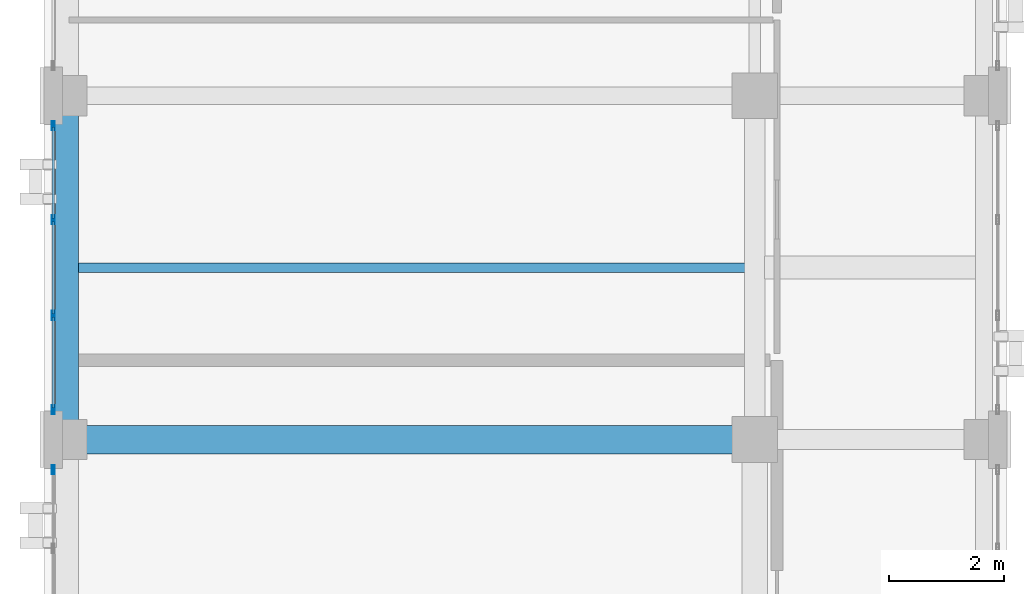
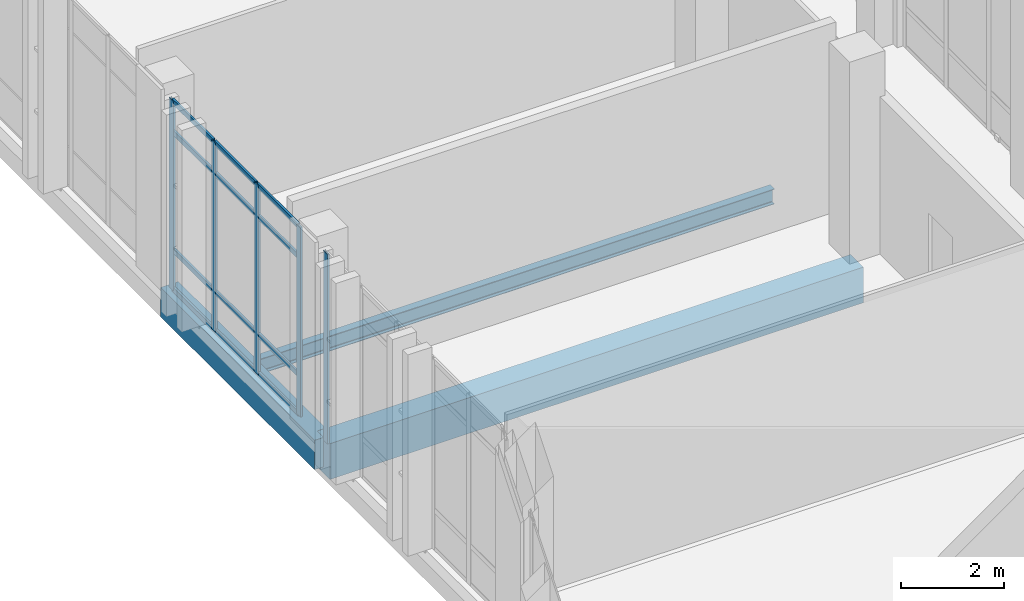
# One storey, part 69 of 189: 17 members, 3 beams, 2 elements without a shape of their own.
"""IFC4 building model written with IfcOpenShell, lengths in metres."""

from ifc_helpers import new_model, si_unit, direction, frame, origin, origin_2d, place, context, subcontext, project, spatial, rectangle, hollow_rectangle, i_section, extrude, material, layer, layer_set, material_profile, profile_set, type_object, element, aggregate, save


model = new_model("IFC4")

# Units and contexts
model_context = context("Model", 3, precision=1e-05, world=origin(), true_north=direction((0.0, 1.0)))
body_context = subcontext(model_context, "Body", "Model", "MODEL_VIEW")
ifc_project = project(units=[si_unit("LENGTHUNIT", "METRE"), si_unit("AREAUNIT", "SQUARE_METRE"), si_unit("VOLUMEUNIT", "CUBIC_METRE"), si_unit("PLANEANGLEUNIT", "RADIAN"), si_unit("MASSUNIT", "GRAM", prefix="KILO")], contexts=[model_context])

# Site, building, storey
site_placement = place(None, origin())
site = spatial("IfcSite", under=ifc_project, at=site_placement, CompositionType="ELEMENT")
building_placement = place(site_placement, origin())
building = spatial("IfcBuilding", under=site, at=building_placement, Name="Qalavern Law Courts", CompositionType="ELEMENT")
storey_placement = place(building_placement, frame((0.0, 0.0, 5.39990234375)))
storey = spatial("IfcBuildingStorey", under=building, at=storey_placement, Name="L01", CompositionType="ELEMENT", Elevation=5.39990234375)

# Curtain wall, members
ifc_material_1 = material(Name="Anodised aluminium and insulated glazing", Category="aluminium")
ifc_layer = layer(ifc_material_1, 0.172119140625)
ifc_layer_set = layer_set([ifc_layer], Name="Anodised aluminium and insulated glazing")
curtain_wall_type = type_object("IfcCurtainWallType", Name="ENV-CW-COURT", PredefinedType="USERDEFINED", material=ifc_layer_set)
curtain_wall_1_placement = place(storey_placement, origin())
curtain_wall_1 = element("IfcCurtainWall", 1, at=curtain_wall_1_placement, inside=storey, type_object=curtain_wall_type, Name="V3 unitised curtain wall L01 west 3", ObjectType="UNITISED CURTAIN WALL", PredefinedType="USERDEFINED")
ifc_material_2 = material(Name="Anodised aluminium", Category="aluminium")
ifc_material_profile_1 = material_profile(ifc_material_2, hollow_rectangle(XDim=0.048095703125, YDim=0.159912109375, WallThickness=0.00390625, at=origin_2d()), Name="ALU MULLION 48x160")
ifc_profile_set_1 = profile_set([ifc_material_profile_1], Name="Anodised aluminium")
member_type_1 = type_object("IfcMemberType", Name="ENV-CWM-48x160", PredefinedType="MULLION", material=ifc_profile_set_1)
member_1_placement = place(storey_placement, frame((2.16259765625, 78.8759765625, 0.0), z_axis=(0.0, 0.0, 1.0), x_axis=(1.0, 0.0, 0.0)))
member_1 = element("IfcMember", 2, at=member_1_placement, type_object=member_type_1, Name="CW-03 mullion 1", PredefinedType="MULLION", context=body_context, shape_type="SweptSolid", body=[
    extrude(hollow_rectangle(XDim=0.048095703125, YDim=0.159912109375, WallThickness=0.00390625, at=origin_2d()), origin(), (0.0, 0.0, 1.0), 4.510009765625),
])
member_2_placement = place(storey_placement, frame((2.16259765625, 77.2333984375, 0.0), z_axis=(0.0, 0.0, 1.0), x_axis=(1.0, 0.0, 0.0)))
member_2 = element("IfcMember", 3, at=member_2_placement, type_object=member_type_1, Name="CW-03 mullion 2", PredefinedType="MULLION", context=body_context, shape_type="SweptSolid", body=[
    extrude(hollow_rectangle(XDim=0.048095703125, YDim=0.159912109375, WallThickness=0.00390625, at=origin_2d()), origin(), (0.0, 0.0, 1.0), 4.510009765625),
])
member_3_placement = place(storey_placement, frame((2.16259765625, 75.566650390625, 0.0), z_axis=(0.0, 0.0, 1.0), x_axis=(1.0, 0.0, 0.0)))
member_3 = element("IfcMember", 4, at=member_3_placement, type_object=member_type_1, Name="CW-03 mullion 3", PredefinedType="MULLION", context=body_context, shape_type="SweptSolid", body=[
    extrude(hollow_rectangle(XDim=0.048095703125, YDim=0.159912109375, WallThickness=0.00390625, at=origin_2d()), origin(), (0.0, 0.0, 1.0), 4.510009765625),
])
member_4_placement = place(storey_placement, frame((2.16259765625, 73.924072265625, 0.0), z_axis=(0.0, 0.0, 1.0), x_axis=(1.0, 0.0, 0.0)))
member_4 = element("IfcMember", 5, at=member_4_placement, type_object=member_type_1, Name="CW-03 mullion 4", PredefinedType="MULLION", context=body_context, shape_type="SweptSolid", body=[
    extrude(hollow_rectangle(XDim=0.048095703125, YDim=0.159912109375, WallThickness=0.00390625, at=origin_2d()), origin(), (0.0, 0.0, 1.0), 4.510009765625),
])

# Curtain wall, member
curtain_wall_2_placement = place(storey_placement, origin())
curtain_wall_2 = element("IfcCurtainWall", 6, at=curtain_wall_2_placement, inside=storey, type_object=curtain_wall_type, Name="V3 unitised curtain wall L01 west 4", ObjectType="UNITISED CURTAIN WALL", PredefinedType="USERDEFINED")
member_5_placement = place(storey_placement, frame((2.16259765625, 72.8759765625, 0.0), z_axis=(0.0, 0.0, 1.0), x_axis=(1.0, 0.0, 0.0)))
member_5 = element("IfcMember", 7, at=member_5_placement, type_object=member_type_1, Name="CW-03 mullion 1", PredefinedType="MULLION", context=body_context, shape_type="SweptSolid", body=[
    extrude(hollow_rectangle(XDim=0.048095703125, YDim=0.159912109375, WallThickness=0.00390625, at=origin_2d()), origin(), (0.0, 0.0, 1.0), 4.510009765625),
])
aggregate(curtain_wall_2, [member_5])

# Member
ifc_material_profile_2 = material_profile(ifc_material_2, hollow_rectangle(XDim=0.048095703125, YDim=0.1201171875, WallThickness=0.00390625, at=origin_2d()), Name="ALU TRANSOM 48x120")
ifc_profile_set_2 = profile_set([ifc_material_profile_2], Name="Anodised aluminium")
member_type_2 = type_object("IfcMemberType", Name="ENV-CWT-48x120", PredefinedType="USERDEFINED", material=ifc_profile_set_2)
member_6_placement = place(storey_placement, frame((2.16259765625, 78.85205078125, 0.024169921875), z_axis=(0.0, -1.0, 0.0), x_axis=(1.0, 0.0, 0.0)))
member_6 = element("IfcMember", 8, at=member_6_placement, type_object=member_type_2, Name="CW-03 transom 1.1", ObjectType="TRANSOM", PredefinedType="USERDEFINED", context=body_context, shape_type="SweptSolid", body=[
    extrude(hollow_rectangle(XDim=0.048095703125, YDim=0.1201171875, WallThickness=0.00390625, at=origin_2d()), origin(), (0.0, 0.0, 1.0), 1.5947265625),
])

member_7_placement = place(storey_placement, frame((2.16259765625, 78.85205078125, 0.9501953125), z_axis=(0.0, -1.0, 0.0), x_axis=(1.0, 0.0, 0.0)))
member_7 = element("IfcMember", 9, at=member_7_placement, type_object=member_type_2, Name="CW-03 transom 1.2", ObjectType="TRANSOM", PredefinedType="USERDEFINED", context=body_context, shape_type="SweptSolid", body=[
    extrude(hollow_rectangle(XDim=0.048095703125, YDim=0.1201171875, WallThickness=0.00390625, at=origin_2d()), origin(), (0.0, 0.0, 1.0), 1.5947265625),
])

member_8_placement = place(storey_placement, frame((2.16259765625, 78.85205078125, 3.760009765625), z_axis=(0.0, -1.0, 0.0), x_axis=(1.0, 0.0, 0.0)))
member_8 = element("IfcMember", 10, at=member_8_placement, type_object=member_type_2, Name="CW-03 transom 1.3", ObjectType="TRANSOM", PredefinedType="USERDEFINED", context=body_context, shape_type="SweptSolid", body=[
    extrude(hollow_rectangle(XDim=0.048095703125, YDim=0.1201171875, WallThickness=0.00390625, at=origin_2d()), origin(), (0.0, 0.0, 1.0), 1.5947265625),
])

member_9_placement = place(storey_placement, frame((2.16259765625, 78.85205078125, 4.486083984375), z_axis=(0.0, -1.0, 0.0), x_axis=(1.0, 0.0, 0.0)))
member_9 = element("IfcMember", 11, at=member_9_placement, type_object=member_type_2, Name="CW-03 transom 1.4", ObjectType="TRANSOM", PredefinedType="USERDEFINED", context=body_context, shape_type="SweptSolid", body=[
    extrude(hollow_rectangle(XDim=0.048095703125, YDim=0.1201171875, WallThickness=0.00390625, at=origin_2d()), origin(), (0.0, 0.0, 1.0), 1.5947265625),
])

member_10_placement = place(storey_placement, frame((2.16259765625, 77.209228515625, 0.024169921875), z_axis=(0.0, -1.0, 0.0), x_axis=(1.0, 0.0, 0.0)))
member_10 = element("IfcMember", 12, at=member_10_placement, type_object=member_type_2, Name="CW-03 transom 2.1", ObjectType="TRANSOM", PredefinedType="USERDEFINED", context=body_context, shape_type="SweptSolid", body=[
    extrude(hollow_rectangle(XDim=0.048095703125, YDim=0.1201171875, WallThickness=0.00390625, at=origin_2d()), origin(), (0.0, 0.0, 1.0), 1.61865234375),
])

member_11_placement = place(storey_placement, frame((2.16259765625, 77.209228515625, 0.9501953125), z_axis=(0.0, -1.0, 0.0), x_axis=(1.0, 0.0, 0.0)))
member_11 = element("IfcMember", 13, at=member_11_placement, type_object=member_type_2, Name="CW-03 transom 2.2", ObjectType="TRANSOM", PredefinedType="USERDEFINED", context=body_context, shape_type="SweptSolid", body=[
    extrude(hollow_rectangle(XDim=0.048095703125, YDim=0.1201171875, WallThickness=0.00390625, at=origin_2d()), origin(), (0.0, 0.0, 1.0), 1.61865234375),
])

member_12_placement = place(storey_placement, frame((2.16259765625, 77.209228515625, 3.760009765625), z_axis=(0.0, -1.0, 0.0), x_axis=(1.0, 0.0, 0.0)))
member_12 = element("IfcMember", 14, at=member_12_placement, type_object=member_type_2, Name="CW-03 transom 2.3", ObjectType="TRANSOM", PredefinedType="USERDEFINED", context=body_context, shape_type="SweptSolid", body=[
    extrude(hollow_rectangle(XDim=0.048095703125, YDim=0.1201171875, WallThickness=0.00390625, at=origin_2d()), origin(), (0.0, 0.0, 1.0), 1.61865234375),
])

member_13_placement = place(storey_placement, frame((2.16259765625, 77.209228515625, 4.486083984375), z_axis=(0.0, -1.0, 0.0), x_axis=(1.0, 0.0, 0.0)))
member_13 = element("IfcMember", 15, at=member_13_placement, type_object=member_type_2, Name="CW-03 transom 2.4", ObjectType="TRANSOM", PredefinedType="USERDEFINED", context=body_context, shape_type="SweptSolid", body=[
    extrude(hollow_rectangle(XDim=0.048095703125, YDim=0.1201171875, WallThickness=0.00390625, at=origin_2d()), origin(), (0.0, 0.0, 1.0), 1.61865234375),
])

member_14_placement = place(storey_placement, frame((2.16259765625, 75.542724609375, 0.024169921875), z_axis=(0.0, -1.0, 0.0), x_axis=(1.0, 0.0, 0.0)))
member_14 = element("IfcMember", 16, at=member_14_placement, type_object=member_type_2, Name="CW-03 transom 3.1", ObjectType="TRANSOM", PredefinedType="USERDEFINED", context=body_context, shape_type="SweptSolid", body=[
    extrude(hollow_rectangle(XDim=0.048095703125, YDim=0.1201171875, WallThickness=0.00390625, at=origin_2d()), origin(), (0.0, 0.0, 1.0), 1.5947265625),
])

member_15_placement = place(storey_placement, frame((2.16259765625, 75.542724609375, 0.9501953125), z_axis=(0.0, -1.0, 0.0), x_axis=(1.0, 0.0, 0.0)))
member_15 = element("IfcMember", 17, at=member_15_placement, type_object=member_type_2, Name="CW-03 transom 3.2", ObjectType="TRANSOM", PredefinedType="USERDEFINED", context=body_context, shape_type="SweptSolid", body=[
    extrude(hollow_rectangle(XDim=0.048095703125, YDim=0.1201171875, WallThickness=0.00390625, at=origin_2d()), origin(), (0.0, 0.0, 1.0), 1.5947265625),
])

member_16_placement = place(storey_placement, frame((2.16259765625, 75.542724609375, 3.760009765625), z_axis=(0.0, -1.0, 0.0), x_axis=(1.0, 0.0, 0.0)))
member_16 = element("IfcMember", 18, at=member_16_placement, type_object=member_type_2, Name="CW-03 transom 3.3", ObjectType="TRANSOM", PredefinedType="USERDEFINED", context=body_context, shape_type="SweptSolid", body=[
    extrude(hollow_rectangle(XDim=0.048095703125, YDim=0.1201171875, WallThickness=0.00390625, at=origin_2d()), origin(), (0.0, 0.0, 1.0), 1.5947265625),
])

member_17_placement = place(storey_placement, frame((2.16259765625, 75.542724609375, 4.486083984375), z_axis=(0.0, -1.0, 0.0), x_axis=(1.0, 0.0, 0.0)))
member_17 = element("IfcMember", 19, at=member_17_placement, type_object=member_type_2, Name="CW-03 transom 3.4", ObjectType="TRANSOM", PredefinedType="USERDEFINED", context=body_context, shape_type="SweptSolid", body=[
    extrude(hollow_rectangle(XDim=0.048095703125, YDim=0.1201171875, WallThickness=0.00390625, at=origin_2d()), origin(), (0.0, 0.0, 1.0), 1.5947265625),
])

aggregate(curtain_wall_1, [member_1, member_2, member_3, member_4, member_6, member_7, member_8, member_9, member_10, member_11, member_12, member_13, member_14, member_15, member_16, member_17])

# Beams
ifc_material_3 = material(Name="Concrete C40/50", Category="concrete")
ifc_material_profile_3 = material_profile(ifc_material_3, rectangle(XDim=0.5, YDim=0.85009765625, at=origin_2d()), Name="RC 500x850")
ifc_profile_set_3 = profile_set([ifc_material_profile_3], Name="Concrete C40/50")
beam_type_1 = type_object("IfcBeamType", Name="STR-BM-RC500x850", PredefinedType="BEAM", material=ifc_profile_set_3)
beam_1_placement = place(storey_placement, frame((2.39990234375, 73.39990234375, -0.724853515625), z_axis=(1.0, 0.0, 0.0), x_axis=(0.0, 1.0, 0.0)))
element("IfcBeam", 20, at=beam_1_placement, inside=storey, type_object=beam_type_1, Name="V3 X-beam 5-1 L01", PredefinedType="BEAM", context=body_context, shape_type="SweptSolid", body=[
    extrude(rectangle(XDim=0.5, YDim=0.85009765625, at=origin_2d()), origin(), (0.0, 0.0, 1.0), 12.0),
])
ifc_material_4 = material(Name="Steel S355", Category="steel")
ifc_material_profile_4 = material_profile(ifc_material_4, i_section(OverallWidth=0.169921875, OverallDepth=0.360107421875, WebThickness=0.008056640625, FlangeThickness=0.0126953125, FilletRadius=0.01806640625, at=origin_2d()), Name="IPE 360")
ifc_profile_set_4 = profile_set([ifc_material_profile_4], Name="Steel S355")
beam_type_2 = type_object("IfcBeamType", Name="STR-JST-IPE360", PredefinedType="JOIST", material=ifc_profile_set_4)
beam_2_placement = place(storey_placement, frame((2.597900390625, 76.39990234375, -0.47998046875), z_axis=(1.0, 0.0, 0.0), x_axis=(0.0, 1.0, 0.0)))
element("IfcBeam", 21, at=beam_2_placement, inside=storey, type_object=beam_type_2, Name="V3 secondary joist 1.5.1 L01", PredefinedType="JOIST", context=body_context, shape_type="SweptSolid", body=[
    extrude(i_section(OverallWidth=0.169921875, OverallDepth=0.360107421875, WebThickness=0.008056640625, FlangeThickness=0.0126953125, FilletRadius=0.01806640625, at=origin_2d()), origin(), (0.0, 0.0, 1.0), 11.629150390625),
])
ifc_material_profile_5 = material_profile(ifc_material_3, rectangle(XDim=0.39990234375, YDim=0.699951171875, at=origin_2d()), Name="RC 400x700")
ifc_profile_set_5 = profile_set([ifc_material_profile_5], Name="Concrete C40/50")
beam_type_3 = type_object("IfcBeamType", Name="STR-SP-RC400x700", PredefinedType="SPANDREL", material=ifc_profile_set_5)
beam_3_placement = place(storey_placement, frame((2.39990234375, 73.39990234375, -0.64990234375), z_axis=(0.0, 1.0, 0.0), x_axis=(-1.0, 0.0, 0.0)))
element("IfcBeam", 22, at=beam_3_placement, inside=storey, type_object=beam_type_3, Name="V3 Y-beam 1-5 L01", PredefinedType="SPANDREL", context=body_context, shape_type="SweptSolid", body=[
    extrude(rectangle(XDim=0.39990234375, YDim=0.699951171875, at=origin_2d()), origin(), (0.0, 0.0, 1.0), 6.0),
])

save(model, "model.ifc")
